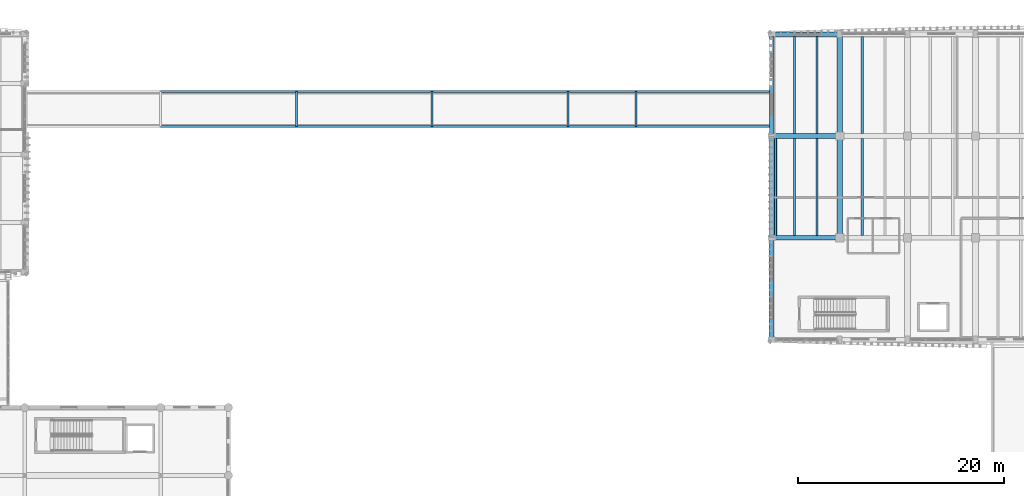
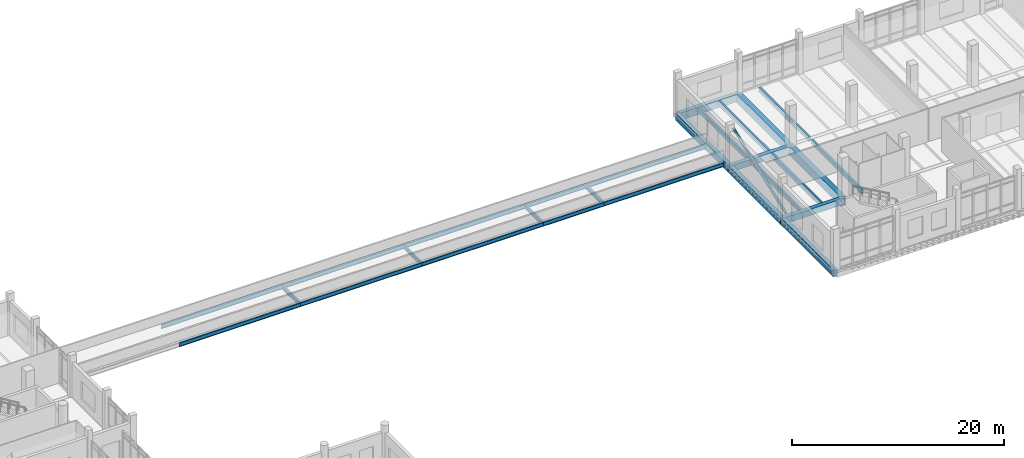
# One storey, part 33 of 101: 28 beams, 1 member.
"""IFC4 building model written with IfcOpenShell, lengths in metres."""

from ifc_helpers import new_model, si_unit, direction, frame, origin, origin_2d, place, context, subcontext, project, spatial, rectangle, hollow_circle, i_section, extrude, material, material_profile, profile_set, type_object, element, save


model = new_model("IFC4")

# Units and contexts
model_context = context("Model", 3, precision=1e-05, world=origin(), true_north=direction((0.0, 1.0)))
body_context = subcontext(model_context, "Body", "Model", "MODEL_VIEW")
ifc_project = project(units=[si_unit("LENGTHUNIT", "METRE"), si_unit("AREAUNIT", "SQUARE_METRE"), si_unit("VOLUMEUNIT", "CUBIC_METRE"), si_unit("PLANEANGLEUNIT", "RADIAN"), si_unit("MASSUNIT", "GRAM", prefix="KILO")], contexts=[model_context])

# Site, building, storey
site_placement = place(None, origin())
site = spatial("IfcSite", under=ifc_project, at=site_placement, CompositionType="ELEMENT")
building_placement = place(site_placement, origin())
building = spatial("IfcBuilding", under=site, at=building_placement, Name="Dornvale Research Institute", CompositionType="ELEMENT")
storey_placement = place(building_placement, frame((0.0, 0.0, 10.199951171875)))
storey = spatial("IfcBuildingStorey", under=building, at=storey_placement, Name="L02", CompositionType="ELEMENT", Elevation=10.199951171875)

# Beams
ifc_material_1 = material(Name="Concrete f'c 45 MPa (C35/45)", Category="concrete")
ifc_material_profile_1 = material_profile(ifc_material_1, rectangle(XDim=0.449951171875, YDim=0.715087890625, at=origin_2d()), Name="RC 450x715")
ifc_profile_set_1 = profile_set([ifc_material_profile_1], Name="Concrete f'c 45 MPa (C35/45)")
beam_type_1 = type_object("IfcBeamType", Name="Beam_RC450x715_Lab", PredefinedType="BEAM", material=ifc_profile_set_1)
for number, where, z_axis, x_axis, name in (
    (1, (118.800048828125, 102.300048828125, -0.357421875), (1.0, 0.0, 0.0), (0.0, 1.0, 0.0), "L02 primary girder #644"),
    (2, (118.800048828125, 112.199951171875, -0.357421875), (1.0, 0.0, 0.0), (0.0, 1.0, 0.0), "L02 primary girder #653"),
):
    element("IfcBeam", number, at=place(storey_placement, frame(where, z_axis=z_axis, x_axis=x_axis)), inside=storey, type_object=beam_type_1, Name=name, PredefinedType="BEAM", context=body_context, shape_type="SweptSolid", body=[
        extrude(rectangle(XDim=0.449951171875, YDim=0.715087890625, at=origin_2d()), origin(), (0.0, 0.0, 1.0), 6.599853515625),
    ])
ifc_material_2 = material(Name="Concrete f'c 45 MPa (C35/45)", Category="concrete")
ifc_material_profile_2 = material_profile(ifc_material_2, rectangle(XDim=0.550048828125, YDim=1.0, at=origin_2d()), Name="RC 550x1000")
ifc_profile_set_2 = profile_set([ifc_material_profile_2], Name="Concrete f'c 45 MPa (C35/45)")
beam_type_2 = type_object("IfcBeamType", Name="Beam_RC550x1000_Girder", PredefinedType="BEAM", material=ifc_profile_set_2)
beam_1_placement = place(storey_placement, frame((125.39990234375, 102.300048828125, -0.5), z_axis=(0.0, 1.0, 0.0), x_axis=(-1.0, 0.0, 0.0)))
element("IfcBeam", 3, at=beam_1_placement, inside=storey, type_object=beam_type_2, Name="L02 transverse girder #674", PredefinedType="BEAM", context=body_context, shape_type="SweptSolid", body=[
    extrude(rectangle(XDim=0.550048828125, YDim=1.0, at=origin_2d()), origin(), (0.0, 0.0, 1.0), 9.89990234375),
])
beam_2_placement = place(storey_placement, frame((125.39990234375, 112.199951171875, -0.5), z_axis=(0.0, 1.0, 0.0), x_axis=(-1.0, 0.0, 0.0)))
element("IfcBeam", 4, at=beam_2_placement, inside=storey, type_object=beam_type_2, Name="L02 transverse girder #675", PredefinedType="BEAM", context=body_context, shape_type="SweptSolid", body=[
    extrude(rectangle(XDim=0.550048828125, YDim=1.0, at=origin_2d()), origin(), (0.0, 0.0, 1.0), 9.900146484375),
])
ifc_material_3 = material(Name="Steel ASTM A992 Grade 50", Category="steel")
ifc_material_profile_3 = material_profile(ifc_material_3, i_section(OverallWidth=0.19091796875, OverallDepth=0.4599609375, WebThickness=0.010009765625, FlangeThickness=0.01611328125, at=origin_2d()), Name="W18X55")
ifc_profile_set_3 = profile_set([ifc_material_profile_3], Name="Steel ASTM A992 Grade 50")
beam_type_3 = type_object("IfcBeamType", Name="Beam_Steel_W18X55_Canopy", PredefinedType="BEAM", material=ifc_profile_set_3)
for number, where, z_axis, x_axis, name in (
    (5, (59.39990234375, 113.10009765625, -0.409912109375), (1.0, 0.0, 0.0), (0.0, 1.0, 0.0), "L02 BR-5 roof south beam #2026"),
    (6, (59.39990234375, 116.5, -0.409912109375), (1.0, 0.0, 0.0), (0.0, 1.0, 0.0), "L02 BR-5 roof north beam #2026"),
):
    element("IfcBeam", number, at=place(storey_placement, frame(where, z_axis=z_axis, x_axis=x_axis)), inside=storey, type_object=beam_type_3, Name=name, PredefinedType="BEAM", context=body_context, shape_type="SweptSolid", body=[
        extrude(i_section(OverallWidth=0.19091796875, OverallDepth=0.4599609375, WebThickness=0.010009765625, FlangeThickness=0.01611328125, at=origin_2d()), origin(), (0.0, 0.0, 1.0), 13.2001953125),
    ])
for number, where, z_axis, x_axis, name in (
    (7, (72.60009765625, 113.10009765625, -0.409912109375), (1.0, 0.0, 0.0), (0.0, 1.0, 0.0), "L02 BR-5 roof south beam #2026"),
    (8, (72.60009765625, 116.5, -0.409912109375), (1.0, 0.0, 0.0), (0.0, 1.0, 0.0), "L02 BR-5 roof north beam #2026"),
    (9, (85.800048828125, 113.10009765625, -0.409912109375), (1.0, 0.0, 0.0), (0.0, 1.0, 0.0), "L02 BR-5 roof south beam #2026"),
    (10, (85.800048828125, 116.5, -0.409912109375), (1.0, 0.0, 0.0), (0.0, 1.0, 0.0), "L02 BR-5 roof north beam #2026"),
):
    element("IfcBeam", number, at=place(storey_placement, frame(where, z_axis=z_axis, x_axis=x_axis)), inside=storey, type_object=beam_type_3, Name=name, PredefinedType="BEAM", context=body_context, shape_type="SweptSolid", body=[
        extrude(i_section(OverallWidth=0.19091796875, OverallDepth=0.4599609375, WebThickness=0.010009765625, FlangeThickness=0.01611328125, at=origin_2d()), origin(), (0.0, 0.0, 1.0), 13.199951171875),
    ])
for number, where, z_axis, x_axis, name in (
    (11, (99.0, 113.10009765625, -0.409912109375), (1.0, 0.0, 0.0), (0.0, 1.0, 0.0), "L02 BR-5 roof south beam #2026"),
    (12, (99.0, 116.5, -0.409912109375), (1.0, 0.0, 0.0), (0.0, 1.0, 0.0), "L02 BR-5 roof north beam #2026"),
):
    element("IfcBeam", number, at=place(storey_placement, frame(where, z_axis=z_axis, x_axis=x_axis)), inside=storey, type_object=beam_type_3, Name=name, PredefinedType="BEAM", context=body_context, shape_type="SweptSolid", body=[
        extrude(i_section(OverallWidth=0.19091796875, OverallDepth=0.4599609375, WebThickness=0.010009765625, FlangeThickness=0.01611328125, at=origin_2d()), origin(), (0.0, 0.0, 1.0), 6.60009765625),
    ])
for number, where, z_axis, x_axis, name in (
    (13, (105.60009765625, 113.10009765625, -0.409912109375), (1.0, 0.0, 0.0), (0.0, 1.0, 0.0), "L02 BR-5 roof south beam #2026"),
    (14, (105.60009765625, 116.5, -0.409912109375), (1.0, 0.0, 0.0), (0.0, 1.0, 0.0), "L02 BR-5 roof north beam #2026"),
):
    element("IfcBeam", number, at=place(storey_placement, frame(where, z_axis=z_axis, x_axis=x_axis)), inside=storey, type_object=beam_type_3, Name=name, PredefinedType="BEAM", context=body_context, shape_type="SweptSolid", body=[
        extrude(i_section(OverallWidth=0.19091796875, OverallDepth=0.4599609375, WebThickness=0.010009765625, FlangeThickness=0.01611328125, at=origin_2d()), origin(), (0.0, 0.0, 1.0), 13.199951171875),
    ])
for number, where, z_axis, x_axis, name in (
    (15, (72.60009765625, 113.10009765625, -0.409912109375), (0.0, 1.0, 0.0), (-1.0, 0.0, 0.0), "L02 BR-5 roof portal tie #2026"),
    (16, (85.800048828125, 113.10009765625, -0.409912109375), (0.0, 1.0, 0.0), (-1.0, 0.0, 0.0), "L02 BR-5 roof portal tie #2026"),
    (17, (99.0, 113.10009765625, -0.409912109375), (0.0, 1.0, 0.0), (-1.0, 0.0, 0.0), "L02 BR-5 roof portal tie #2026"),
    (18, (105.60009765625, 113.10009765625, -0.409912109375), (0.0, 1.0, 0.0), (-1.0, 0.0, 0.0), "L02 BR-5 roof portal tie #2026"),
):
    element("IfcBeam", number, at=place(storey_placement, frame(where, z_axis=z_axis, x_axis=x_axis)), inside=storey, type_object=beam_type_3, Name=name, PredefinedType="BEAM", context=body_context, shape_type="SweptSolid", body=[
        extrude(i_section(OverallWidth=0.19091796875, OverallDepth=0.4599609375, WebThickness=0.010009765625, FlangeThickness=0.01611328125, at=origin_2d()), origin(), (0.0, 0.0, 1.0), 3.39990234375),
    ])

# Member
ifc_material_4 = material(Name="Steel ASTM A500 Grade C", Category="steel")
ifc_material_profile_4 = material_profile(ifc_material_4, hollow_circle(Radius=0.136474609375, WallThickness=0.01171875, at=origin_2d()), Name="HSS273X12.7")
ifc_profile_set_4 = profile_set([ifc_material_profile_4], Name="Steel ASTM A500 Grade C")
member_type = type_object("IfcMemberType", Name="Brace_HSS273_Round", PredefinedType="BRACE", material=ifc_profile_set_4)
member_placement = place(storey_placement, frame((119.159912109375, 102.300048828125, 0.300048828125), z_axis=(0.0, 0.935158287794, 0.354230118385), x_axis=(-1.0, 0.0, 0.0)))
element("IfcMember", 19, at=member_placement, inside=storey, type_object=member_type, Name="L02 seismic diagonal brace #46", PredefinedType="BRACE", context=body_context, shape_type="SweptSolid", body=[
    extrude(hollow_circle(Radius=0.136474609375, WallThickness=0.01171875, at=origin_2d()), origin(), (0.0, 0.0, 1.0), 10.58642578125),
])

# Beams
ifc_material_5 = material(Name="Concrete f'c 45 MPa (C35/45)", Category="concrete")
ifc_material_profile_5 = material_profile(ifc_material_5, rectangle(XDim=0.219970703125, YDim=0.534912109375, at=origin_2d()), Name="RC 220x535")
ifc_profile_set_5 = profile_set([ifc_material_profile_5], Name="Concrete f'c 45 MPa (C35/45)")
beam_type_4 = type_object("IfcBeamType", Name="Joist_RC220x535_Waffle", PredefinedType="JOIST", material=ifc_profile_set_5)
for number, where, z_axis, x_axis, name in (
    (20, (121.0, 102.52490234375, -0.267333984375), (0.0, 1.0, 0.0), (-1.0, 0.0, 0.0), "L02 laboratory waffle joist #314"),
    (21, (123.199951171875, 102.52490234375, -0.267333984375), (0.0, 1.0, 0.0), (-1.0, 0.0, 0.0), "L02 laboratory waffle joist #315"),
):
    element("IfcBeam", number, at=place(storey_placement, frame(where, z_axis=z_axis, x_axis=x_axis)), inside=storey, type_object=beam_type_4, Name=name, PredefinedType="JOIST", context=body_context, shape_type="SweptSolid", body=[
        extrude(rectangle(XDim=0.219970703125, YDim=0.534912109375, at=origin_2d()), origin(), (0.0, 0.0, 1.0), 9.4501953125),
    ])
for number, where, z_axis, x_axis, name in (
    (22, (121.0, 112.425048828125, -0.267333984375), (0.0, 1.0, 0.0), (-1.0, 0.0, 0.0), "L02 laboratory waffle joist #316"),
    (23, (123.199951171875, 112.425048828125, -0.267333984375), (0.0, 1.0, 0.0), (-1.0, 0.0, 0.0), "L02 laboratory waffle joist #317"),
):
    element("IfcBeam", number, at=place(storey_placement, frame(where, z_axis=z_axis, x_axis=x_axis)), inside=storey, type_object=beam_type_4, Name=name, PredefinedType="JOIST", context=body_context, shape_type="SweptSolid", body=[
        extrude(rectangle(XDim=0.219970703125, YDim=0.534912109375, at=origin_2d()), origin(), (0.0, 0.0, 1.0), 9.449951171875),
    ])
beam_3_placement = place(storey_placement, frame((127.60009765625, 102.52490234375, -0.267333984375), z_axis=(0.0, 1.0, 0.0), x_axis=(-1.0, 0.0, 0.0)))
element("IfcBeam", 24, at=beam_3_placement, inside=storey, type_object=beam_type_4, Name="L02 laboratory waffle joist #318", PredefinedType="JOIST", context=body_context, shape_type="SweptSolid", body=[
    extrude(rectangle(XDim=0.219970703125, YDim=0.534912109375, at=origin_2d()), origin(), (0.0, 0.0, 1.0), 9.4501953125),
])
beam_4_placement = place(storey_placement, frame((127.60009765625, 112.425048828125, -0.267333984375), z_axis=(0.0, 1.0, 0.0), x_axis=(-1.0, 0.0, 0.0)))
element("IfcBeam", 25, at=beam_4_placement, inside=storey, type_object=beam_type_4, Name="L02 laboratory waffle joist #320", PredefinedType="JOIST", context=body_context, shape_type="SweptSolid", body=[
    extrude(rectangle(XDim=0.219970703125, YDim=0.534912109375, at=origin_2d()), origin(), (0.0, 0.0, 1.0), 9.449951171875),
])
ifc_material_6 = material(Name="Concrete f'c 45 MPa (C35/45)", Category="concrete")
ifc_material_profile_6 = material_profile(ifc_material_6, rectangle(XDim=0.449951171875, YDim=0.800048828125, at=origin_2d()), Name="RC 450x800")
ifc_profile_set_6 = profile_set([ifc_material_profile_6], Name="Concrete f'c 45 MPa (C35/45)")
beam_type_5 = type_object("IfcBeamType", Name="Spandrel_RC450x800_Ext", PredefinedType="SPANDREL", material=ifc_profile_set_6)
beam_5_placement = place(storey_placement, frame((118.800048828125, 92.39990234375, -0.39990234375), z_axis=(0.0, 1.0, 0.0), x_axis=(-1.0, 0.0, 0.0)))
element("IfcBeam", 26, at=beam_5_placement, inside=storey, type_object=beam_type_5, Name="L02 perimeter spandrel #671", PredefinedType="SPANDREL", context=body_context, shape_type="SweptSolid", body=[
    extrude(rectangle(XDim=0.449951171875, YDim=0.800048828125, at=origin_2d()), origin(), (0.0, 0.0, 1.0), 9.900146484375),
])
beam_6_placement = place(storey_placement, frame((118.800048828125, 102.300048828125, -0.39990234375), z_axis=(0.0, 1.0, 0.0), x_axis=(-1.0, 0.0, 0.0)))
element("IfcBeam", 27, at=beam_6_placement, inside=storey, type_object=beam_type_5, Name="L02 perimeter spandrel #672", PredefinedType="SPANDREL", context=body_context, shape_type="SweptSolid", body=[
    extrude(rectangle(XDim=0.449951171875, YDim=0.800048828125, at=origin_2d()), origin(), (0.0, 0.0, 1.0), 9.89990234375),
])
beam_7_placement = place(storey_placement, frame((118.800048828125, 112.199951171875, -0.39990234375), z_axis=(0.0, 1.0, 0.0), x_axis=(-1.0, 0.0, 0.0)))
element("IfcBeam", 28, at=beam_7_placement, inside=storey, type_object=beam_type_5, Name="L02 perimeter spandrel #673", PredefinedType="SPANDREL", context=body_context, shape_type="SweptSolid", body=[
    extrude(rectangle(XDim=0.449951171875, YDim=0.800048828125, at=origin_2d()), origin(), (0.0, 0.0, 1.0), 9.900146484375),
])
ifc_material_7 = material(Name="Concrete f'c 45 MPa (C35/45)", Category="concrete")
ifc_material_profile_7 = material_profile(ifc_material_7, rectangle(XDim=0.449951171875, YDim=0.85009765625, at=origin_2d()), Name="RC 450x850")
ifc_profile_set_7 = profile_set([ifc_material_profile_7], Name="Concrete f'c 45 MPa (C35/45)")
beam_type_6 = type_object("IfcBeamType", Name="Spandrel_RC450x850_Ext", PredefinedType="SPANDREL", material=ifc_profile_set_7)
beam_8_placement = place(storey_placement, frame((118.800048828125, 122.10009765625, -0.425048828125), z_axis=(1.0, 0.0, 0.0), x_axis=(0.0, 1.0, 0.0)))
element("IfcBeam", 29, at=beam_8_placement, inside=storey, type_object=beam_type_6, Name="L02 perimeter spandrel #662", PredefinedType="SPANDREL", context=body_context, shape_type="SweptSolid", body=[
    extrude(rectangle(XDim=0.449951171875, YDim=0.85009765625, at=origin_2d()), origin(), (0.0, 0.0, 1.0), 6.599853515625),
])

save(model, "model.ifc")
